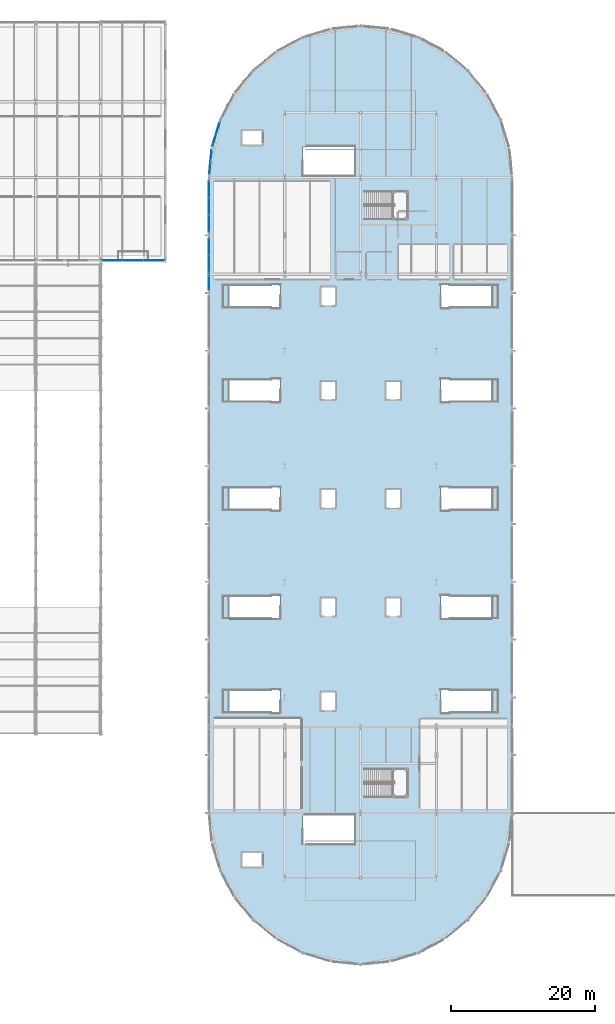
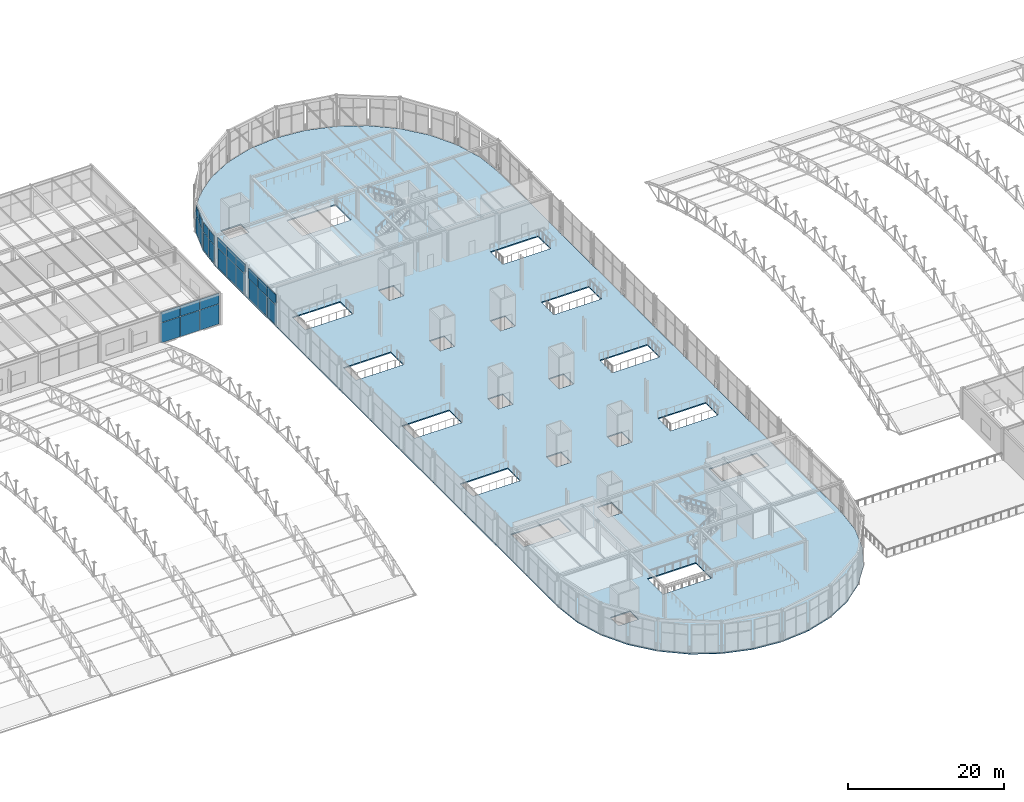
# One storey, part 99 of 195: 26 plates, 1 slab, 5 elements without a shape of their own.
"""IFC4 building model written with IfcOpenShell, lengths in metres."""

import ifcopenshell
import ifcopenshell.guid

model = None  # the IFC model being written
_history = None  # IfcOwnerHistory: only IFC2X3 demands one
_inside = {}  # id of a spatial element -> (the spatial element, [elements in it])
_under = {}  # id of a project, library or spatial element -> (it, [spatial elements below it])
_declared = {}  # id of a project -> (the project, [libraries it declares])
_typed = {}  # id of a type object -> (the type object, [elements of that type])
_made_of = {}  # id of a material, layer set ... -> (it, [elements and type objects made of it])


def new_model(schema):
    """Start an empty IFC model of exactly this schema.

    Asked for "IFC4X3", IfcOpenShell would pick the latest addendum, in which some entities
    have other attributes; the version numbers below select the first issue.
    IFC2X3 requires an IfcOwnerHistory on every rooted entity: one is made here for all.
    """
    global model, _history
    if schema == "IFC4X3":
        model = ifcopenshell.file(schema_version=(4, 3, 0, 0))
    else:
        model = ifcopenshell.file(schema=schema)
    _inside.clear()
    _under.clear()
    _declared.clear()
    _typed.clear()
    _made_of.clear()
    _history = None
    if model.schema == "IFC2X3":
        org = make("IfcOrganization", Name="unknown")
        user = make(
            "IfcPersonAndOrganization",
            ThePerson=make("IfcPerson", FamilyName="unknown"),
            TheOrganization=org,
        )
        app = make(
            "IfcApplication",
            ApplicationDeveloper=org,
            Version="unknown",
            ApplicationFullName="unknown",
            ApplicationIdentifier="unknown",
        )
        _history = make(
            "IfcOwnerHistory",
            OwningUser=user,
            OwningApplication=app,
            ChangeAction="ADDED",
            CreationDate=0,
        )
    return model


def make(cls, **values):
    """One entity of the class cls with the attributes given. An attribute that is None is left unset."""
    return model.create_entity(
        cls, **{name: value for name, value in values.items() if value is not None}
    )


def rooted(cls, **values):
    """An entity with a GlobalId (a new one), such as an element, a storey or a relation."""
    return make(cls, GlobalId=ifcopenshell.guid.new(), OwnerHistory=_history, **values)


def si_unit(unit_type, name, prefix=None):
    """IfcSIUnit, for example si_unit("LENGTHUNIT", "METRE", prefix="MILLI")."""
    return make("IfcSIUnit", UnitType=unit_type, Prefix=prefix, Name=name)


def assignment(units):
    """IfcUnitAssignment: the units of a project."""
    return None if units is None else make("IfcUnitAssignment", Units=units)


def point(xyz):
    """IfcCartesianPoint."""
    return None if xyz is None else make("IfcCartesianPoint", Coordinates=xyz)


def direction(xyz):
    """IfcDirection."""
    return None if xyz is None else make("IfcDirection", DirectionRatios=xyz)


def frame(location, z_axis=None, x_axis=None):
    """IfcAxis2Placement3D, a coordinate frame: its origin and axes. An axis left out is left unset."""
    return make(
        "IfcAxis2Placement3D",
        Location=point(location),
        Axis=direction(z_axis),
        RefDirection=direction(x_axis),
    )


def frame_2d(location, x_axis=None):
    """IfcAxis2Placement2D, a coordinate frame in the plane: its origin and x axis."""
    return make(
        "IfcAxis2Placement2D", Location=point(location), RefDirection=direction(x_axis)
    )


def origin():
    """The frame at (0, 0, 0) with its axes left unset."""
    return frame((0.0, 0.0, 0.0))


def origin_2d():
    """The frame at (0, 0) in the plane with its x axis left unset."""
    return frame_2d((0.0, 0.0))


def place(relative_to, where):
    """IfcLocalPlacement: puts the frame where relative to a parent placement (None: the world)."""
    return make(
        "IfcLocalPlacement", PlacementRelTo=relative_to, RelativePlacement=where
    )


def context(
    kind, dimensions, precision=None, world=None, true_north=None, identifier=None
):
    """IfcGeometricRepresentationContext, for example the 3D "Model" context."""
    return make(
        "IfcGeometricRepresentationContext",
        ContextIdentifier=identifier,
        ContextType=kind,
        CoordinateSpaceDimension=dimensions,
        Precision=precision,
        WorldCoordinateSystem=world,
        TrueNorth=true_north,
    )


def subcontext(parent, identifier, kind, view, scale=None):
    """IfcGeometricRepresentationSubContext, for example "Body" below "Model"."""
    return make(
        "IfcGeometricRepresentationSubContext",
        ContextIdentifier=identifier,
        ContextType=kind,
        ParentContext=parent,
        TargetScale=scale,
        TargetView=view,
    )


def project(units=None, contexts=None):
    """IfcProject with its units and contexts."""
    return rooted(
        "IfcProject",
        Name="project",
        RepresentationContexts=contexts,
        UnitsInContext=assignment(units),
    )


def spatial(cls, under=None, at=None, **own):
    """A site, building, storey or space (cls), placed at a placement, below another one or the project."""
    s = rooted(cls, ObjectPlacement=at, **own)
    if under is not None:
        _under.setdefault(under.id(), (under, []))[1].append(s)
    return s


def polyline(points):
    """IfcPolyline through the points."""
    return make("IfcPolyline", Points=[point(p) for p in points])


def profile(cls, at=None, kind="AREA", **sizes):
    """A parametric profile (cls). Its sizes go by their IFC names, for example OverallWidth=200.0."""
    return make(cls, ProfileType=kind, Position=at, **sizes)


def rectangle(**sizes):
    """IfcRectangleProfileDef."""
    return profile("IfcRectangleProfileDef", **sizes)


def outline(outer, holes=None, kind="AREA"):
    """IfcArbitraryClosedProfileDef: a profile drawn as a closed curve; with holes, ...WithVoids."""
    if holes is None:
        return make("IfcArbitraryClosedProfileDef", ProfileType=kind, OuterCurve=outer)
    return make(
        "IfcArbitraryProfileDefWithVoids",
        ProfileType=kind,
        OuterCurve=outer,
        InnerCurves=holes,
    )


def extrude(swept, where, along, depth):
    """IfcExtrudedAreaSolid: the profile swept, set in the frame where, extruded along a direction by depth."""
    return make(
        "IfcExtrudedAreaSolid",
        SweptArea=swept,
        Position=where,
        ExtrudedDirection=direction(along),
        Depth=depth,
    )


def shape(context_of_items, identifier, shape_type, items):
    """IfcShapeRepresentation: the items that make up one representation, for example the "Body"."""
    return make(
        "IfcShapeRepresentation",
        ContextOfItems=context_of_items,
        RepresentationIdentifier=identifier,
        RepresentationType=shape_type,
        Items=items,
    )


def material(Name=None, Category=None):
    """IfcMaterial."""
    return make("IfcMaterial", Name=Name, Category=Category)


def layer(
    of_material, thickness, ventilated=None, Name=None, Category=None, Priority=None
):
    """IfcMaterialLayer: one layer of a wall or slab, of a material (None: an air gap)."""
    return make(
        "IfcMaterialLayer",
        Material=of_material,
        LayerThickness=thickness,
        IsVentilated=ventilated,
        Name=Name,
        Category=Category,
        Priority=Priority,
    )


def layer_set(layers, Name=None):
    """IfcMaterialLayerSet."""
    return make("IfcMaterialLayerSet", MaterialLayers=layers, LayerSetName=Name)


def made_of(thing, what):
    """Note that an element or type object is made of a material, layer set ...; save() writes the relation."""
    if what is not None:
        _made_of.setdefault(what.id(), (what, []))[1].append(thing)
    return thing


def type_object(cls, material=None, **own):
    """A type object (cls), such as IfcWallType, which elements share."""
    return made_of(rooted(cls, **own), material)


def element(
    cls,
    number,
    at=None,
    inside=None,
    cuts=None,
    type_object=None,
    material=None,
    context=None,
    identifier="Body",
    shape_type=None,
    held_by="IfcProductDefinitionShape",
    body=None,
    shapes=None,
    **own,
):
    """One element of the class cls, such as IfcWall. Its Tag is "e" and its number.

    at: its placement. inside: the storey or other place that contains it. cuts: it is an
    opening in that element (IfcRelVoidsElement). A single representation is given by context,
    identifier, shape_type and body (its items); several are given by shapes. held_by: the class
    of the entity that holds the representations. save() writes the other relations.
    """
    e = rooted(cls, Tag="e%d" % number, ObjectPlacement=at, **own)
    if body is not None:
        shapes = [shape(context, identifier, shape_type, body)]
    if shapes is not None:
        e.Representation = make(held_by, Representations=shapes)
    if inside is not None:
        _inside.setdefault(inside.id(), (inside, []))[1].append(e)
    if cuts is not None:
        rooted(
            "IfcRelVoidsElement", RelatingBuildingElement=cuts, RelatedOpeningElement=e
        )
    if type_object is not None:
        _typed.setdefault(type_object.id(), (type_object, []))[1].append(e)
    return made_of(e, material)


def aggregate(whole, parts):
    """IfcRelAggregates: a whole, such as a stair, and the parts it consists of."""
    return rooted("IfcRelAggregates", RelatingObject=whole, RelatedObjects=parts)


def save(model, path):
    """Write the relations noted so far, then the file.

    IfcRelAggregates (storeys below a building ...), IfcRelContainedInSpatialStructure (elements
    in a storey), IfcRelDefinesByType, IfcRelAssociatesMaterial and IfcRelDeclares: one each for
    every whole, place, type object, material and project.
    """
    for whole, parts in _under.values():
        aggregate(whole, parts)
    for where, things in _inside.values():
        rooted(
            "IfcRelContainedInSpatialStructure",
            RelatedElements=things,
            RelatingStructure=where,
        )
    for kind, things in _typed.values():
        rooted("IfcRelDefinesByType", RelatedObjects=things, RelatingType=kind)
    for what, things in _made_of.values():
        rooted("IfcRelAssociatesMaterial", RelatedObjects=things, RelatingMaterial=what)
    for by, libraries in _declared.values():
        rooted("IfcRelDeclares", RelatingContext=by, RelatedDefinitions=libraries)
    model.write(path)


model = new_model("IFC4")

# Units and contexts
model_context = context("Model", 3, precision=1e-05, world=origin(), true_north=direction((0.0, 1.0)))
body_context = subcontext(model_context, "Body", "Model", "MODEL_VIEW")
ifc_project = project(units=[si_unit("LENGTHUNIT", "METRE"), si_unit("AREAUNIT", "SQUARE_METRE"), si_unit("VOLUMEUNIT", "CUBIC_METRE"), si_unit("PLANEANGLEUNIT", "RADIAN"), si_unit("MASSUNIT", "GRAM", prefix="KILO")], contexts=[model_context])

# Site, building, storey
site_placement = place(None, origin())
site = spatial("IfcSite", under=ifc_project, at=site_placement, CompositionType="ELEMENT")
building_placement = place(site_placement, origin())
building = spatial("IfcBuilding", under=site, at=building_placement, Name="Marlcrest Central Station", CompositionType="ELEMENT")
storey_placement = place(building_placement, frame((0.0, 0.0, 9.800048828125)))
storey = spatial("IfcBuildingStorey", under=building, at=storey_placement, Name="L02", CompositionType="ELEMENT", Elevation=9.800048828125)

# Curtain wall, plates
ifc_material_1 = material(Name="Anodised aluminium and hurricane laminated glass", Category="aluminium")
ifc_layer_1 = layer(ifc_material_1, 0.219970703125, Name="CW-U1")
ifc_layer_set_1 = layer_set([ifc_layer_1], Name="Anodised aluminium and hurricane laminated glass")
curtain_wall_type = type_object("IfcCurtainWallType", Name="CW-U1", PredefinedType="USERDEFINED", material=ifc_layer_set_1)
curtain_wall_1_placement = place(storey_placement, origin())
curtain_wall_1 = element("IfcCurtainWall", 1, at=curtain_wall_1_placement, inside=storey, type_object=curtain_wall_type, Name="cw-L02-0067", ObjectType="UNITISED_CURTAIN_WALL", PredefinedType="USERDEFINED")
ifc_material_2 = material(Name="Hurricane laminated solar-control glass", Category="glass")
ifc_layer_2 = layer(ifc_material_2, 0.031982421875, Name="CP-01")
ifc_layer_set_2 = layer_set([ifc_layer_2], Name="Hurricane laminated solar-control glass")
plate_type_1 = type_object("IfcPlateType", Name="CP-01", PredefinedType="CURTAIN_PANEL", material=ifc_layer_set_2)
plate_1_placement = place(storey_placement, frame((87.134765625, 111.865478515625, 0.080078125), z_axis=(0.0, 0.0, 1.0), x_axis=(0.098138724349, 0.995172744192, 0.0)))
plate_1 = element("IfcPlate", 2, at=plate_1_placement, type_object=plate_type_1, Name="cw-L02-0067-cp-lo-0", PredefinedType="CURTAIN_PANEL", context=body_context, shape_type="SweptSolid", body=[
    extrude(rectangle(XDim=1.61669921875, YDim=0.031982421875, at=origin_2d()), origin(), (0.0, 0.0, 1.0), 2.804931640625),
])
plate_2_placement = place(storey_placement, frame((87.30078125, 113.5498046875, 0.080078125), z_axis=(0.0, 0.0, 1.0), x_axis=(0.098138724349, 0.995172744192, 0.0)))
plate_2 = element("IfcPlate", 3, at=plate_2_placement, type_object=plate_type_1, Name="cw-L02-0067-cp-lo-1", PredefinedType="CURTAIN_PANEL", context=body_context, shape_type="SweptSolid", body=[
    extrude(rectangle(XDim=1.61669921875, YDim=0.031982421875, at=origin_2d()), origin(), (0.0, 0.0, 1.0), 2.804931640625),
])

curtain_wall_2_placement = place(storey_placement, origin())
curtain_wall_2 = element("IfcCurtainWall", 4, at=curtain_wall_2_placement, inside=storey, type_object=curtain_wall_type, Name="cw-L02-0068", ObjectType="UNITISED_CURTAIN_WALL", PredefinedType="USERDEFINED")
plate_3_placement = place(storey_placement, frame((87.71826171875, 115.6328125, 0.080078125), z_axis=(0.0, 0.0, 1.0), x_axis=(0.290318080597, 0.956930202302, 0.0)))
plate_3 = element("IfcPlate", 5, at=plate_3_placement, type_object=plate_type_1, Name="cw-L02-0068-cp-lo-0", PredefinedType="CURTAIN_PANEL", context=body_context, shape_type="SweptSolid", body=[
    extrude(rectangle(XDim=1.67724609375, YDim=0.031982421875, at=origin_2d()), origin(), (0.0, 0.0, 1.0), 2.804931640625),
])
plate_4_placement = place(storey_placement, frame((88.227294921875, 117.310546875, 0.080078125), z_axis=(0.0, 0.0, 1.0), x_axis=(0.290318080597, 0.956930202302, 0.0)))
plate_4 = element("IfcPlate", 6, at=plate_4_placement, type_object=plate_type_1, Name="cw-L02-0068-cp-lo-1", PredefinedType="CURTAIN_PANEL", context=body_context, shape_type="SweptSolid", body=[
    extrude(rectangle(XDim=1.67724609375, YDim=0.031982421875, at=origin_2d()), origin(), (0.0, 0.0, 1.0), 2.804931640625),
])

curtain_wall_3_placement = place(storey_placement, origin())
curtain_wall_3 = element("IfcCurtainWall", 7, at=curtain_wall_3_placement, inside=storey, type_object=curtain_wall_type, Name="cw-L02-0135", ObjectType="UNITISED_CURTAIN_WALL", PredefinedType="USERDEFINED")
plate_5_placement = place(storey_placement, frame((87.0, 96.13330078125, 0.080078125), z_axis=(0.0, 0.0, 1.0), x_axis=(0.0, 1.0, 0.0)))
plate_5 = element("IfcPlate", 8, at=plate_5_placement, type_object=plate_type_1, Name="cw-L02-0135-cp-lo-0", PredefinedType="CURTAIN_PANEL", context=body_context, shape_type="SweptSolid", body=[
    extrude(rectangle(XDim=2.290771484375, YDim=0.031982421875, at=origin_2d()), origin(), (0.0, 0.0, 1.0), 3.097900390625),
])
plate_6_placement = place(storey_placement, frame((87.0, 98.5, 0.080078125), z_axis=(0.0, 0.0, 1.0), x_axis=(0.0, 1.0, 0.0)))
plate_6 = element("IfcPlate", 9, at=plate_6_placement, type_object=plate_type_1, Name="cw-L02-0135-cp-lo-1", PredefinedType="CURTAIN_PANEL", context=body_context, shape_type="SweptSolid", body=[
    extrude(rectangle(XDim=2.290771484375, YDim=0.031982421875, at=origin_2d()), origin(), (0.0, 0.0, 1.0), 3.097900390625),
])
plate_7_placement = place(storey_placement, frame((87.0, 100.86669921875, 0.080078125), z_axis=(0.0, 0.0, 1.0), x_axis=(0.0, 1.0, 0.0)))
plate_7 = element("IfcPlate", 10, at=plate_7_placement, type_object=plate_type_1, Name="cw-L02-0135-cp-lo-2", PredefinedType="CURTAIN_PANEL", context=body_context, shape_type="SweptSolid", body=[
    extrude(rectangle(XDim=2.290771484375, YDim=0.031982421875, at=origin_2d()), origin(), (0.0, 0.0, 1.0), 3.097900390625),
])

curtain_wall_4_placement = place(storey_placement, origin())
curtain_wall_4 = element("IfcCurtainWall", 11, at=curtain_wall_4_placement, inside=storey, type_object=curtain_wall_type, Name="cw-L02-0139", ObjectType="UNITISED_CURTAIN_WALL", PredefinedType="USERDEFINED")
plate_8_placement = place(storey_placement, frame((87.0, 104.13330078125, 0.080078125), z_axis=(0.0, 0.0, 1.0), x_axis=(0.0, 1.0, 0.0)))
plate_8 = element("IfcPlate", 12, at=plate_8_placement, type_object=plate_type_1, Name="cw-L02-0139-cp-lo-0", PredefinedType="CURTAIN_PANEL", context=body_context, shape_type="SweptSolid", body=[
    extrude(rectangle(XDim=2.290771484375, YDim=0.031982421875, at=origin_2d()), origin(), (0.0, 0.0, 1.0), 3.097900390625),
])
plate_9_placement = place(storey_placement, frame((87.0, 106.5, 0.080078125), z_axis=(0.0, 0.0, 1.0), x_axis=(0.0, 1.0, 0.0)))
plate_9 = element("IfcPlate", 13, at=plate_9_placement, type_object=plate_type_1, Name="cw-L02-0139-cp-lo-1", PredefinedType="CURTAIN_PANEL", context=body_context, shape_type="SweptSolid", body=[
    extrude(rectangle(XDim=2.290771484375, YDim=0.031982421875, at=origin_2d()), origin(), (0.0, 0.0, 1.0), 3.097900390625),
])
plate_10_placement = place(storey_placement, frame((87.0, 108.86669921875, 0.080078125), z_axis=(0.0, 0.0, 1.0), x_axis=(0.0, 1.0, 0.0)))
plate_10 = element("IfcPlate", 14, at=plate_10_placement, type_object=plate_type_1, Name="cw-L02-0139-cp-lo-2", PredefinedType="CURTAIN_PANEL", context=body_context, shape_type="SweptSolid", body=[
    extrude(rectangle(XDim=2.290771484375, YDim=0.031982421875, at=origin_2d()), origin(), (0.0, 0.0, 1.0), 3.097900390625),
])

curtain_wall_5_placement = place(storey_placement, origin())
curtain_wall_5 = element("IfcCurtainWall", 15, at=curtain_wall_5_placement, inside=storey, type_object=curtain_wall_type, Name="cw-L02-0165", ObjectType="UNITISED_CURTAIN_WALL", PredefinedType="USERDEFINED")
ifc_material_3 = material(Name="Acoustic triple-glazed solar-control glass", Category="glass")
ifc_layer_3 = layer(ifc_material_3, 0.0439453125, Name="CP-03")
ifc_layer_set_3 = layer_set([ifc_layer_3], Name="Acoustic triple-glazed solar-control glass")
plate_type_2 = type_object("IfcPlateType", Name="CP-03", PredefinedType="CURTAIN_PANEL", material=ifc_layer_set_3)
plate_11_placement = place(storey_placement, frame((79.39990234375, 99.030029296875, 0.080078125), z_axis=(0.0, 0.0, 1.0), x_axis=(-1.0, 0.0, 0.0)))
plate_11 = element("IfcPlate", 16, at=plate_11_placement, type_object=plate_type_2, Name="cw-L02-0165-cp-lo-0", PredefinedType="CURTAIN_PANEL", context=body_context, shape_type="SweptSolid", body=[
    extrude(rectangle(XDim=2.823974609375, YDim=0.0439453125, at=origin_2d()), origin(), (0.0, 0.0, 1.0), 3.1298828125),
])
plate_12_placement = place(storey_placement, frame((76.5, 99.030029296875, 0.080078125), z_axis=(0.0, 0.0, 1.0), x_axis=(-1.0, 0.0, 0.0)))
plate_12 = element("IfcPlate", 17, at=plate_12_placement, type_object=plate_type_2, Name="cw-L02-0165-cp-lo-1", PredefinedType="CURTAIN_PANEL", context=body_context, shape_type="SweptSolid", body=[
    extrude(rectangle(XDim=2.823974609375, YDim=0.0439453125, at=origin_2d()), origin(), (0.0, 0.0, 1.0), 3.1298828125),
])
plate_13_placement = place(storey_placement, frame((73.60009765625, 99.030029296875, 0.080078125), z_axis=(0.0, 0.0, 1.0), x_axis=(-1.0, 0.0, 0.0)))
plate_13 = element("IfcPlate", 18, at=plate_13_placement, type_object=plate_type_2, Name="cw-L02-0165-cp-lo-2", PredefinedType="CURTAIN_PANEL", context=body_context, shape_type="SweptSolid", body=[
    extrude(rectangle(XDim=2.823974609375, YDim=0.0439453125, at=origin_2d()), origin(), (0.0, 0.0, 1.0), 3.1298828125),
])

# Plate
ifc_material_4 = material(Name="Insulated bronze-anodised aluminium spandrel panel", Category="aluminium")
ifc_layer_4 = layer(ifc_material_4, 0.050048828125, Name="CP-05")
ifc_layer_set_4 = layer_set([ifc_layer_4], Name="Insulated bronze-anodised aluminium spandrel panel")
plate_type_3 = type_object("IfcPlateType", Name="CP-05", PredefinedType="CURTAIN_PANEL", material=ifc_layer_set_4)
plate_14_placement = place(storey_placement, frame((87.134765625, 111.865478515625, 2.96484375), z_axis=(0.0, 0.0, 1.0), x_axis=(0.098138724349, 0.995172744192, 0.0)))
plate_14 = element("IfcPlate", 19, at=plate_14_placement, type_object=plate_type_3, Name="cw-L02-0067-cp-hi-0", PredefinedType="CURTAIN_PANEL", context=body_context, shape_type="SweptSolid", body=[
    extrude(rectangle(XDim=1.61669921875, YDim=0.050048828125, at=origin_2d()), origin(), (0.0, 0.0, 1.0), 1.455078125),
])

plate_15_placement = place(storey_placement, frame((87.30078125, 113.5498046875, 2.96484375), z_axis=(0.0, 0.0, 1.0), x_axis=(0.098138724349, 0.995172744192, 0.0)))
plate_15 = element("IfcPlate", 20, at=plate_15_placement, type_object=plate_type_3, Name="cw-L02-0067-cp-hi-1", PredefinedType="CURTAIN_PANEL", context=body_context, shape_type="SweptSolid", body=[
    extrude(rectangle(XDim=1.61669921875, YDim=0.050048828125, at=origin_2d()), origin(), (0.0, 0.0, 1.0), 1.455078125),
])

aggregate(curtain_wall_1, [plate_1, plate_14, plate_2, plate_15])

plate_16_placement = place(storey_placement, frame((87.0, 104.13330078125, 3.2578125), z_axis=(0.0, 0.0, 1.0), x_axis=(0.0, 1.0, 0.0)))
plate_16 = element("IfcPlate", 21, at=plate_16_placement, type_object=plate_type_3, Name="cw-L02-0139-cp-hi-0", PredefinedType="CURTAIN_PANEL", context=body_context, shape_type="SweptSolid", body=[
    extrude(rectangle(XDim=2.290771484375, YDim=0.050048828125, at=origin_2d()), origin(), (0.0, 0.0, 1.0), 1.612060546875),
])

plate_17_placement = place(storey_placement, frame((87.0, 106.5, 3.2578125), z_axis=(0.0, 0.0, 1.0), x_axis=(0.0, 1.0, 0.0)))
plate_17 = element("IfcPlate", 22, at=plate_17_placement, type_object=plate_type_3, Name="cw-L02-0139-cp-hi-1", PredefinedType="CURTAIN_PANEL", context=body_context, shape_type="SweptSolid", body=[
    extrude(rectangle(XDim=2.290771484375, YDim=0.050048828125, at=origin_2d()), origin(), (0.0, 0.0, 1.0), 1.612060546875),
])

plate_18_placement = place(storey_placement, frame((87.0, 108.86669921875, 3.2578125), z_axis=(0.0, 0.0, 1.0), x_axis=(0.0, 1.0, 0.0)))
plate_18 = element("IfcPlate", 23, at=plate_18_placement, type_object=plate_type_3, Name="cw-L02-0139-cp-hi-2", PredefinedType="CURTAIN_PANEL", context=body_context, shape_type="SweptSolid", body=[
    extrude(rectangle(XDim=2.290771484375, YDim=0.050048828125, at=origin_2d()), origin(), (0.0, 0.0, 1.0), 1.612060546875),
])

aggregate(curtain_wall_4, [plate_8, plate_16, plate_9, plate_17, plate_10, plate_18])

ifc_material_5 = material(Name="Insulated acoustic spandrel panel")
ifc_layer_5 = layer(ifc_material_5, 0.074951171875, Name="CP-06")
ifc_layer_set_5 = layer_set([ifc_layer_5], Name="Insulated acoustic spandrel panel")
plate_type_4 = type_object("IfcPlateType", Name="CP-06", PredefinedType="CURTAIN_PANEL", material=ifc_layer_set_5)
plate_19_placement = place(storey_placement, frame((87.71826171875, 115.6328125, 2.96484375), z_axis=(0.0, 0.0, 1.0), x_axis=(0.290318080597, 0.956930202302, 0.0)))
plate_19 = element("IfcPlate", 24, at=plate_19_placement, type_object=plate_type_4, Name="cw-L02-0068-cp-hi-0", PredefinedType="CURTAIN_PANEL", context=body_context, shape_type="SweptSolid", body=[
    extrude(rectangle(XDim=1.67724609375, YDim=0.074951171875, at=origin_2d()), origin(), (0.0, 0.0, 1.0), 1.455078125),
])

plate_20_placement = place(storey_placement, frame((88.227294921875, 117.310546875, 2.96484375), z_axis=(0.0, 0.0, 1.0), x_axis=(0.290318080597, 0.956930202302, 0.0)))
plate_20 = element("IfcPlate", 25, at=plate_20_placement, type_object=plate_type_4, Name="cw-L02-0068-cp-hi-1", PredefinedType="CURTAIN_PANEL", context=body_context, shape_type="SweptSolid", body=[
    extrude(rectangle(XDim=1.67724609375, YDim=0.074951171875, at=origin_2d()), origin(), (0.0, 0.0, 1.0), 1.455078125),
])

aggregate(curtain_wall_2, [plate_3, plate_19, plate_4, plate_20])

ifc_material_6 = material(Name="Insulated hurricane-rated spandrel panel")
ifc_layer_6 = layer(ifc_material_6, 0.090087890625, Name="CP-07")
ifc_layer_set_6 = layer_set([ifc_layer_6], Name="Insulated hurricane-rated spandrel panel")
plate_type_5 = type_object("IfcPlateType", Name="CP-07", PredefinedType="CURTAIN_PANEL", material=ifc_layer_set_6)
plate_21_placement = place(storey_placement, frame((87.0, 96.13330078125, 3.2578125), z_axis=(0.0, 0.0, 1.0), x_axis=(0.0, 1.0, 0.0)))
plate_21 = element("IfcPlate", 26, at=plate_21_placement, type_object=plate_type_5, Name="cw-L02-0135-cp-hi-0", PredefinedType="CURTAIN_PANEL", context=body_context, shape_type="SweptSolid", body=[
    extrude(rectangle(XDim=2.290771484375, YDim=0.090087890625, at=origin_2d()), origin(), (0.0, 0.0, 1.0), 1.612060546875),
])

plate_22_placement = place(storey_placement, frame((87.0, 98.5, 3.2578125), z_axis=(0.0, 0.0, 1.0), x_axis=(0.0, 1.0, 0.0)))
plate_22 = element("IfcPlate", 27, at=plate_22_placement, type_object=plate_type_5, Name="cw-L02-0135-cp-hi-1", PredefinedType="CURTAIN_PANEL", context=body_context, shape_type="SweptSolid", body=[
    extrude(rectangle(XDim=2.290771484375, YDim=0.090087890625, at=origin_2d()), origin(), (0.0, 0.0, 1.0), 1.612060546875),
])

plate_23_placement = place(storey_placement, frame((87.0, 100.86669921875, 3.2578125), z_axis=(0.0, 0.0, 1.0), x_axis=(0.0, 1.0, 0.0)))
plate_23 = element("IfcPlate", 28, at=plate_23_placement, type_object=plate_type_5, Name="cw-L02-0135-cp-hi-2", PredefinedType="CURTAIN_PANEL", context=body_context, shape_type="SweptSolid", body=[
    extrude(rectangle(XDim=2.290771484375, YDim=0.090087890625, at=origin_2d()), origin(), (0.0, 0.0, 1.0), 1.612060546875),
])

aggregate(curtain_wall_3, [plate_5, plate_21, plate_6, plate_22, plate_7, plate_23])

plate_24_placement = place(storey_placement, frame((79.39990234375, 99.030029296875, 3.2900390625), z_axis=(0.0, 0.0, 1.0), x_axis=(-1.0, 0.0, 0.0)))
plate_24 = element("IfcPlate", 29, at=plate_24_placement, type_object=plate_type_5, Name="cw-L02-0165-cp-hi-0", PredefinedType="CURTAIN_PANEL", context=body_context, shape_type="SweptSolid", body=[
    extrude(rectangle(XDim=2.823974609375, YDim=0.090087890625, at=origin_2d()), origin(), (0.0, 0.0, 1.0), 1.6298828125),
])

plate_25_placement = place(storey_placement, frame((76.5, 99.030029296875, 3.2900390625), z_axis=(0.0, 0.0, 1.0), x_axis=(-1.0, 0.0, 0.0)))
plate_25 = element("IfcPlate", 30, at=plate_25_placement, type_object=plate_type_5, Name="cw-L02-0165-cp-hi-1", PredefinedType="CURTAIN_PANEL", context=body_context, shape_type="SweptSolid", body=[
    extrude(rectangle(XDim=2.823974609375, YDim=0.090087890625, at=origin_2d()), origin(), (0.0, 0.0, 1.0), 1.6298828125),
])

plate_26_placement = place(storey_placement, frame((73.60009765625, 99.030029296875, 3.2900390625), z_axis=(0.0, 0.0, 1.0), x_axis=(-1.0, 0.0, 0.0)))
plate_26 = element("IfcPlate", 31, at=plate_26_placement, type_object=plate_type_5, Name="cw-L02-0165-cp-hi-2", PredefinedType="CURTAIN_PANEL", context=body_context, shape_type="SweptSolid", body=[
    extrude(rectangle(XDim=2.823974609375, YDim=0.090087890625, at=origin_2d()), origin(), (0.0, 0.0, 1.0), 1.6298828125),
])

aggregate(curtain_wall_5, [plate_11, plate_24, plate_12, plate_25, plate_13, plate_26])

# Slab
ifc_material_7 = material(Name="Concrete C35/45", Category="concrete")
ifc_layer_7 = layer(ifc_material_7, 0.179931640625, Name="FS-01")
ifc_layer_set_7 = layer_set([ifc_layer_7], Name="Concrete C35/45")
slab_type = type_object("IfcSlabType", Name="FS-01", PredefinedType="FLOOR", material=ifc_layer_set_7)
slab_placement = place(storey_placement, frame((0.0, 0.0, -0.179931640625)))
element("IfcSlab", 32, at=slab_placement, inside=storey, type_object=slab_type, Name="slab-L02-0097", PredefinedType="FLOOR", context=body_context, shape_type="SweptSolid", body=[
    extrude(outline(polyline([(87.0, 22.5), (87.404052734375, 18.403076171875), (88.59912109375, 14.464111328125), (90.5390625, 10.8330078125), (93.15087890625, 7.65087890625), (96.3330078125, 5.0390625), (99.964111328125, 3.09912109375), (103.903076171875, 1.904052734375), (108.0, 1.5), (112.096923828125, 1.904052734375), (116.035888671875, 3.09912109375), (119.6669921875, 5.0390625), (122.84912109375, 7.65087890625), (125.4609375, 10.8330078125), (127.40087890625, 14.464111328125), (128.595947265625, 18.403076171875), (129.0, 22.5), (129.0, 110.5), (128.595947265625, 114.596923828125), (127.40087890625, 118.535888671875), (125.4609375, 122.1669921875), (122.84912109375, 125.34912109375), (119.6669921875, 127.9609375), (116.035888671875, 129.90087890625), (112.096923828125, 131.095947265625), (108.0, 131.5), (103.903076171875, 131.095947265625), (99.964111328125, 129.90087890625), (96.3330078125, 127.9609375), (93.15087890625, 125.34912109375), (90.5390625, 122.1669921875), (88.59912109375, 118.535888671875), (87.404052734375, 114.596923828125), (87.0, 110.5), (87.0, 22.5)]), holes=[polyline([(89.800048828125, 36.330078125), (96.85009765625, 36.330078125), (96.85009765625, 39.570068359375), (89.800048828125, 39.570068359375), (89.800048828125, 36.330078125)]), polyline([(119.14990234375, 36.330078125), (126.199951171875, 36.330078125), (126.199951171875, 39.570068359375), (119.14990234375, 39.570068359375), (119.14990234375, 36.330078125)]), polyline([(102.419921875, 36.6201171875), (104.580078125, 36.6201171875), (104.580078125, 39.280029296875), (102.419921875, 39.280029296875), (102.419921875, 36.6201171875)]), polyline([(89.800048828125, 49.3798828125), (96.85009765625, 49.3798828125), (96.85009765625, 52.6201171875), (89.800048828125, 52.6201171875), (89.800048828125, 49.3798828125)]), polyline([(119.14990234375, 49.3798828125), (126.199951171875, 49.3798828125), (126.199951171875, 52.6201171875), (119.14990234375, 52.6201171875), (119.14990234375, 49.3798828125)]), polyline([(102.419921875, 49.669921875), (104.580078125, 49.669921875), (104.580078125, 52.330078125), (102.419921875, 52.330078125), (102.419921875, 49.669921875)]), polyline([(111.419921875, 49.669921875), (113.580078125, 49.669921875), (113.580078125, 52.330078125), (111.419921875, 52.330078125), (111.419921875, 49.669921875)]), polyline([(89.800048828125, 64.3798828125), (96.85009765625, 64.3798828125), (96.85009765625, 67.6201171875), (89.800048828125, 67.6201171875), (89.800048828125, 64.3798828125)]), polyline([(119.14990234375, 64.3798828125), (126.199951171875, 64.3798828125), (126.199951171875, 67.6201171875), (119.14990234375, 67.6201171875), (119.14990234375, 64.3798828125)]), polyline([(102.419921875, 64.669921875), (104.580078125, 64.669921875), (104.580078125, 67.330078125), (102.419921875, 67.330078125), (102.419921875, 64.669921875)]), polyline([(111.419921875, 64.669921875), (113.580078125, 64.669921875), (113.580078125, 67.330078125), (111.419921875, 67.330078125), (111.419921875, 64.669921875)]), polyline([(89.800048828125, 79.3798828125), (96.85009765625, 79.3798828125), (96.85009765625, 82.6201171875), (89.800048828125, 82.6201171875), (89.800048828125, 79.3798828125)]), polyline([(119.14990234375, 79.3798828125), (126.199951171875, 79.3798828125), (126.199951171875, 82.6201171875), (119.14990234375, 82.6201171875), (119.14990234375, 79.3798828125)]), polyline([(102.419921875, 79.669921875), (104.580078125, 79.669921875), (104.580078125, 82.330078125), (102.419921875, 82.330078125), (102.419921875, 79.669921875)]), polyline([(111.419921875, 79.669921875), (113.580078125, 79.669921875), (113.580078125, 82.330078125), (111.419921875, 82.330078125), (111.419921875, 79.669921875)]), polyline([(89.800048828125, 92.429931640625), (96.85009765625, 92.429931640625), (96.85009765625, 95.669921875), (89.800048828125, 95.669921875), (89.800048828125, 92.429931640625)]), polyline([(119.14990234375, 92.429931640625), (126.199951171875, 92.429931640625), (126.199951171875, 95.669921875), (119.14990234375, 95.669921875), (119.14990234375, 92.429931640625)]), polyline([(102.419921875, 92.719970703125), (104.580078125, 92.719970703125), (104.580078125, 95.3798828125), (102.419921875, 95.3798828125), (102.419921875, 92.719970703125)]), polyline([(100.0, 18.199951171875), (107.199951171875, 18.199951171875), (107.199951171875, 22.199951171875), (100.0, 22.199951171875), (100.0, 18.199951171875)]), polyline([(100.0, 110.800048828125), (107.199951171875, 110.800048828125), (107.199951171875, 114.800048828125), (100.0, 114.800048828125), (100.0, 110.800048828125)]), polyline([(91.52001953125, 14.919921875), (94.47998046875, 14.919921875), (94.47998046875, 17.080078125), (91.52001953125, 17.080078125), (91.52001953125, 14.919921875)]), polyline([(91.52001953125, 114.919921875), (94.47998046875, 114.919921875), (94.47998046875, 117.080078125), (91.52001953125, 117.080078125), (91.52001953125, 114.919921875)])]), origin(), (0.0, 0.0, 1.0), 0.179931640625),
])

save(model, "model.ifc")
